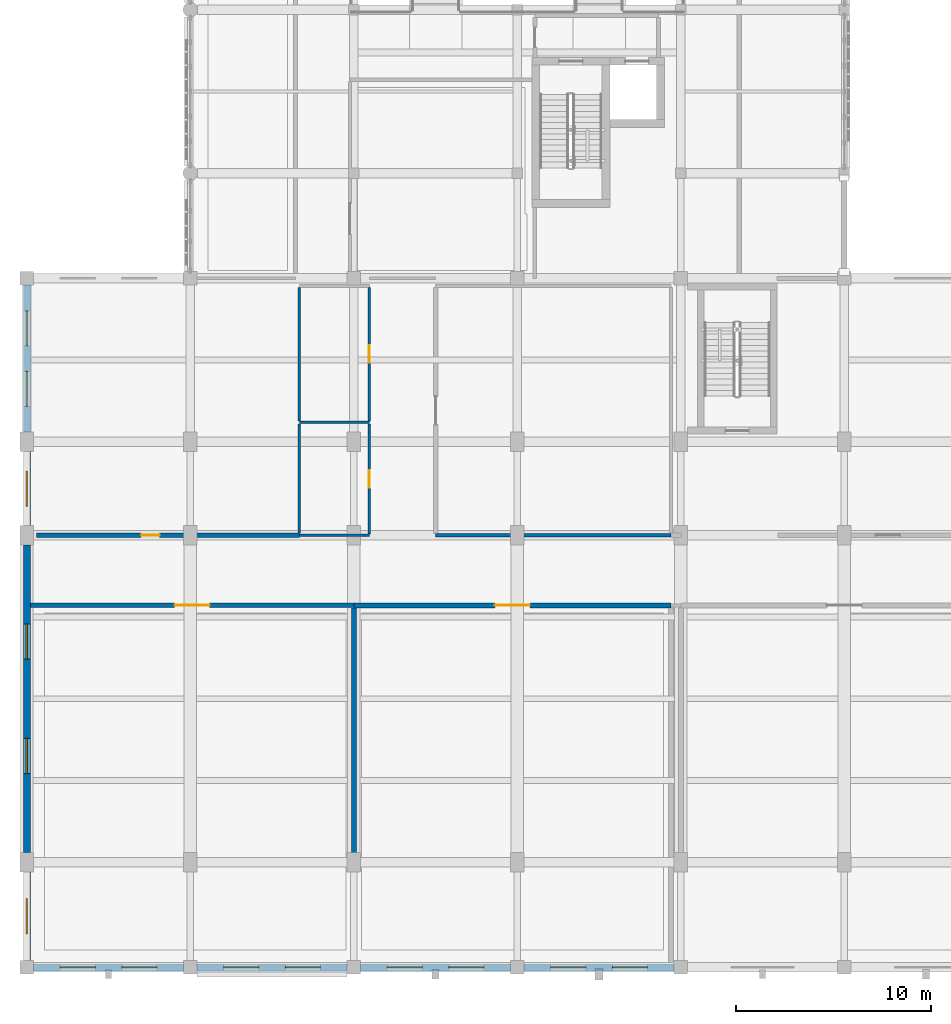
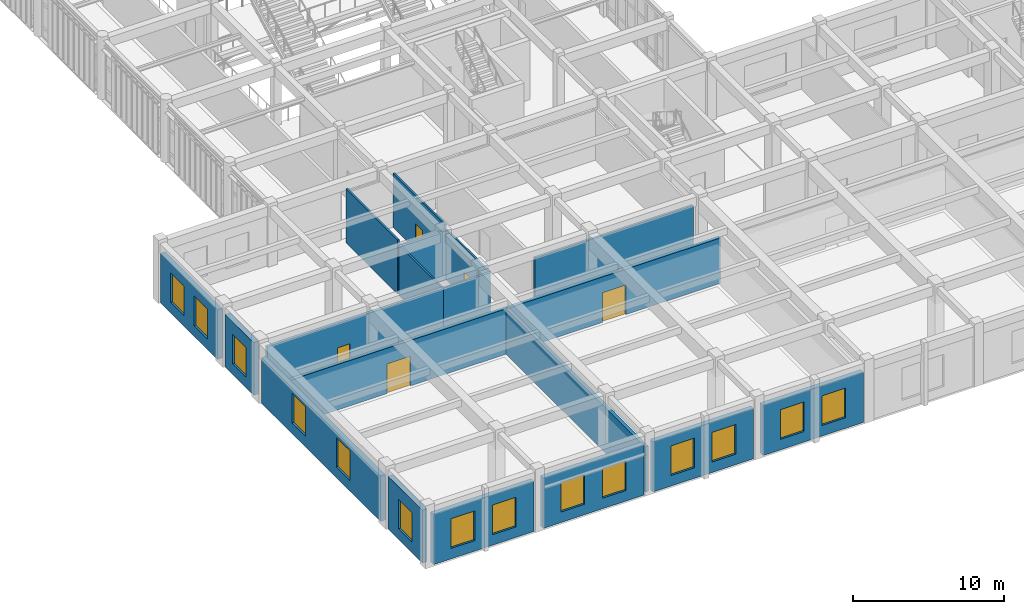
# One storey, part 84 of 106: 19 walls, 14 windows, 5 doors, 19 openings.
"""IFC4 building model written with IfcOpenShell, lengths in metres."""

from ifc_helpers import new_model, si_unit, direction, frame, frame_2d, origin, place, context, subcontext, project, spatial, rectangle, extrude, material, layer, layer_set, type_object, element, fill, save


model = new_model("IFC4")

# Units and contexts
model_context = context("Model", 3, precision=1e-05, world=origin(), true_north=direction((0.0, 1.0)))
body_context = subcontext(model_context, "Body", "Model", "MODEL_VIEW")
ifc_project = project(units=[si_unit("LENGTHUNIT", "METRE"), si_unit("AREAUNIT", "SQUARE_METRE"), si_unit("VOLUMEUNIT", "CUBIC_METRE"), si_unit("PLANEANGLEUNIT", "RADIAN"), si_unit("MASSUNIT", "GRAM", prefix="KILO")], contexts=[model_context])

# Site, building, storey
site_placement = place(None, origin())
site = spatial("IfcSite", under=ifc_project, at=site_placement, CompositionType="ELEMENT")
building_placement = place(site_placement, origin())
building = spatial("IfcBuilding", under=site, at=building_placement, Name="Krzemoval Escarpment Law Courts", CompositionType="ELEMENT")
storey_placement = place(building_placement, frame((0.0, 0.0, 5.10009765625)))
storey = spatial("IfcBuildingStorey", under=building, at=storey_placement, Name="L01", CompositionType="ELEMENT", Elevation=5.10009765625)

# Wall, openings, windows
ifc_material_1 = material(Name="Precast concrete C40/50", Category="concrete")
ifc_layer_1 = layer(ifc_material_1, 0.360107421875)
ifc_layer_set_1 = layer_set([ifc_layer_1], Name="Precast concrete C40/50")
wall_type_1 = type_object("IfcWallType", Name="WL-EXT-360", PredefinedType="SOLIDWALL", material=ifc_layer_set_1)
wall_1_placement = place(storey_placement, frame((33.25, 0.0, 0.0), z_axis=(0.0, 0.0, 1.0), x_axis=(-1.0, 0.0, 0.0)))
wall_1 = element("IfcWall", 1, at=wall_1_placement, inside=storey, type_object=wall_type_1, Name="Exterior Wall EW-L01-0236", PredefinedType="SOLIDWALL", context=body_context, shape_type="SweptSolid", body=[
    extrude(rectangle(XDim=7.699951171875, YDim=0.360107421875, at=frame_2d((3.85009765625, 0.0))), origin(), (0.0, 0.0, 1.0), 4.06982421875),
])
opening_1_placement = place(wall_1_placement, frame((1.366943359375, 0.0, 0.85009765625)))
opening_1 = element("IfcOpeningElement", 2, at=opening_1_placement, cuts=wall_1, Name="Opening WN-L01-0237", PredefinedType="OPENING", context=body_context, shape_type="SweptSolid", body=[
    extrude(rectangle(XDim=1.800048828125, YDim=2.39990234375, at=frame_2d((0.89990234375, 1.199951171875))), frame((0.0, 0.19505, 0.0), z_axis=(0.0, -1.0, 0.0), x_axis=(1.0, 0.0, 0.0)), (0.0, 0.0, 1.0), 0.39011),
])
opening_2_placement = place(wall_1_placement, frame((4.532958984375, 0.0, 0.85009765625)))
opening_2 = element("IfcOpeningElement", 3, at=opening_2_placement, cuts=wall_1, Name="Opening WN-L01-0238", PredefinedType="OPENING", context=body_context, shape_type="SweptSolid", body=[
    extrude(rectangle(XDim=1.800048828125, YDim=2.39990234375, at=frame_2d((0.89990234375, 1.199951171875))), frame((0.0, 0.19505, 0.0), z_axis=(0.0, -1.0, 0.0), x_axis=(1.0, 0.0, 0.0)), (0.0, 0.0, 1.0), 0.39011),
])
ifc_material_2 = material(Name="Thermally Broken Aluminium Frame with Triple Low-E Acoustic Glass", Category="aluminium")
window_type = type_object("IfcWindowType", Name="WN-1800x2400", PartitioningType="SINGLE_PANEL", PredefinedType="WINDOW", material=ifc_material_2)
window_1_placement = place(opening_1_placement, origin())
window_1 = element("IfcWindow", 4, at=window_1_placement, inside=storey, type_object=window_type, Name="Facade Window WN-L01-0237", OverallHeight=2.39990234375, OverallWidth=1.800048828125, PartitioningType="SINGLE_PANEL", PredefinedType="WINDOW", context=body_context, shape_type="SweptSolid", body=[
    extrude(rectangle(XDim=1.800048828125, YDim=2.39990234375, at=frame_2d((0.89990234375, 1.199951171875))), frame((0.0, 0.030029296875, 0.0), z_axis=(0.0, -1.0, 0.0), x_axis=(1.0, 0.0, 0.0)), (0.0, 0.0, 1.0), 0.06005859375),
])
fill(opening_1, window_1)
window_2_placement = place(opening_2_placement, origin())
window_2 = element("IfcWindow", 5, at=window_2_placement, inside=storey, type_object=window_type, Name="Facade Window WN-L01-0238", OverallHeight=2.39990234375, OverallWidth=1.800048828125, PartitioningType="SINGLE_PANEL", PredefinedType="WINDOW", context=body_context, shape_type="SweptSolid", body=[
    extrude(rectangle(XDim=1.800048828125, YDim=2.39990234375, at=frame_2d((0.89990234375, 1.199951171875))), frame((0.0, 0.030029296875, 0.0), z_axis=(0.0, -1.0, 0.0), x_axis=(1.0, 0.0, 0.0)), (0.0, 0.0, 1.0), 0.06005859375),
])
fill(opening_2, window_2)

wall_2_placement = place(storey_placement, frame((24.85009765625, 0.0, 0.0), z_axis=(0.0, 0.0, 1.0), x_axis=(-1.0, 0.0, 0.0)))
wall_2 = element("IfcWall", 6, at=wall_2_placement, inside=storey, type_object=wall_type_1, Name="Exterior Wall EW-L01-0237", PredefinedType="SOLIDWALL", context=body_context, shape_type="SweptSolid", body=[
    extrude(rectangle(XDim=7.7001953125, YDim=0.360107421875, at=frame_2d((3.85009765625, 0.0))), origin(), (0.0, 0.0, 1.0), 4.06982421875),
])
opening_3_placement = place(wall_2_placement, frame((1.366943359375, 0.0, 0.85009765625)))
opening_3 = element("IfcOpeningElement", 7, at=opening_3_placement, cuts=wall_2, Name="Opening WN-L01-0239", PredefinedType="OPENING", context=body_context, shape_type="SweptSolid", body=[
    extrude(rectangle(XDim=1.800048828125, YDim=2.39990234375, at=frame_2d((0.89990234375, 1.199951171875))), frame((0.0, 0.19505, 0.0), z_axis=(0.0, -1.0, 0.0), x_axis=(1.0, 0.0, 0.0)), (0.0, 0.0, 1.0), 0.39011),
])
opening_4_placement = place(wall_2_placement, frame((4.532958984375, 0.0, 0.85009765625)))
opening_4 = element("IfcOpeningElement", 8, at=opening_4_placement, cuts=wall_2, Name="Opening WN-L01-0240", PredefinedType="OPENING", context=body_context, shape_type="SweptSolid", body=[
    extrude(rectangle(XDim=1.800048828125, YDim=2.39990234375, at=frame_2d((0.89990234375, 1.199951171875))), frame((0.0, 0.19505, 0.0), z_axis=(0.0, -1.0, 0.0), x_axis=(1.0, 0.0, 0.0)), (0.0, 0.0, 1.0), 0.39011),
])
window_3_placement = place(opening_3_placement, origin())
window_3 = element("IfcWindow", 9, at=window_3_placement, inside=storey, type_object=window_type, Name="Facade Window WN-L01-0239", OverallHeight=2.39990234375, OverallWidth=1.800048828125, PartitioningType="SINGLE_PANEL", PredefinedType="WINDOW", context=body_context, shape_type="SweptSolid", body=[
    extrude(rectangle(XDim=1.800048828125, YDim=2.39990234375, at=frame_2d((0.89990234375, 1.199951171875))), frame((0.0, 0.030029296875, 0.0), z_axis=(0.0, -1.0, 0.0), x_axis=(1.0, 0.0, 0.0)), (0.0, 0.0, 1.0), 0.06005859375),
])
fill(opening_3, window_3)
window_4_placement = place(opening_4_placement, origin())
window_4 = element("IfcWindow", 10, at=window_4_placement, inside=storey, type_object=window_type, Name="Facade Window WN-L01-0240", OverallHeight=2.39990234375, OverallWidth=1.800048828125, PartitioningType="SINGLE_PANEL", PredefinedType="WINDOW", context=body_context, shape_type="SweptSolid", body=[
    extrude(rectangle(XDim=1.800048828125, YDim=2.39990234375, at=frame_2d((0.89990234375, 1.199951171875))), frame((0.0, 0.030029296875, 0.0), z_axis=(0.0, -1.0, 0.0), x_axis=(1.0, 0.0, 0.0)), (0.0, 0.0, 1.0), 0.06005859375),
])
fill(opening_4, window_4)

wall_3_placement = place(storey_placement, frame((16.449951171875, 0.0, 0.0), z_axis=(0.0, 0.0, 1.0), x_axis=(-1.0, 0.0, 0.0)))
wall_3 = element("IfcWall", 11, at=wall_3_placement, inside=storey, type_object=wall_type_1, Name="Exterior Wall EW-L01-0238", PredefinedType="SOLIDWALL", context=body_context, shape_type="SweptSolid", body=[
    extrude(rectangle(XDim=7.699951171875, YDim=0.360107421875, at=frame_2d((3.85009765625, 0.0))), origin(), (0.0, 0.0, 1.0), 4.06982421875),
])
opening_5_placement = place(wall_3_placement, frame((1.366943359375, 0.0, 0.85009765625)))
opening_5 = element("IfcOpeningElement", 12, at=opening_5_placement, cuts=wall_3, Name="Opening WN-L01-0241", PredefinedType="OPENING", context=body_context, shape_type="SweptSolid", body=[
    extrude(rectangle(XDim=1.800048828125, YDim=2.39990234375, at=frame_2d((0.89990234375, 1.199951171875))), frame((0.0, 0.19505, 0.0), z_axis=(0.0, -1.0, 0.0), x_axis=(1.0, 0.0, 0.0)), (0.0, 0.0, 1.0), 0.39011),
])
opening_6_placement = place(wall_3_placement, frame((4.532958984375, 0.0, 0.85009765625)))
opening_6 = element("IfcOpeningElement", 13, at=opening_6_placement, cuts=wall_3, Name="Opening WN-L01-0242", PredefinedType="OPENING", context=body_context, shape_type="SweptSolid", body=[
    extrude(rectangle(XDim=1.800048828125, YDim=2.39990234375, at=frame_2d((0.89990234375, 1.199951171875))), frame((0.0, 0.19505, 0.0), z_axis=(0.0, -1.0, 0.0), x_axis=(1.0, 0.0, 0.0)), (0.0, 0.0, 1.0), 0.39011),
])
window_5_placement = place(opening_5_placement, origin())
window_5 = element("IfcWindow", 14, at=window_5_placement, inside=storey, type_object=window_type, Name="Facade Window WN-L01-0241", OverallHeight=2.39990234375, OverallWidth=1.800048828125, PartitioningType="SINGLE_PANEL", PredefinedType="WINDOW", context=body_context, shape_type="SweptSolid", body=[
    extrude(rectangle(XDim=1.800048828125, YDim=2.39990234375, at=frame_2d((0.89990234375, 1.199951171875))), frame((0.0, 0.030029296875, 0.0), z_axis=(0.0, -1.0, 0.0), x_axis=(1.0, 0.0, 0.0)), (0.0, 0.0, 1.0), 0.06005859375),
])
fill(opening_5, window_5)
window_6_placement = place(opening_6_placement, origin())
window_6 = element("IfcWindow", 15, at=window_6_placement, inside=storey, type_object=window_type, Name="Facade Window WN-L01-0242", OverallHeight=2.39990234375, OverallWidth=1.800048828125, PartitioningType="SINGLE_PANEL", PredefinedType="WINDOW", context=body_context, shape_type="SweptSolid", body=[
    extrude(rectangle(XDim=1.800048828125, YDim=2.39990234375, at=frame_2d((0.89990234375, 1.199951171875))), frame((0.0, 0.030029296875, 0.0), z_axis=(0.0, -1.0, 0.0), x_axis=(1.0, 0.0, 0.0)), (0.0, 0.0, 1.0), 0.06005859375),
])
fill(opening_6, window_6)

wall_4_placement = place(storey_placement, frame((8.050048828125, 0.0, 0.0), z_axis=(0.0, 0.0, 1.0), x_axis=(-1.0, 0.0, 0.0)))
wall_4 = element("IfcWall", 16, at=wall_4_placement, inside=storey, type_object=wall_type_1, Name="Exterior Wall EW-L01-0239", PredefinedType="SOLIDWALL", context=body_context, shape_type="SweptSolid", body=[
    extrude(rectangle(XDim=7.699951171875, YDim=0.360107421875, at=frame_2d((3.85009765625, 0.0))), origin(), (0.0, 0.0, 1.0), 4.06982421875),
])
opening_7_placement = place(wall_4_placement, frame((1.366943359375, 0.0, 0.85009765625)))
opening_7 = element("IfcOpeningElement", 17, at=opening_7_placement, cuts=wall_4, Name="Opening WN-L01-0243", PredefinedType="OPENING", context=body_context, shape_type="SweptSolid", body=[
    extrude(rectangle(XDim=1.800048828125, YDim=2.39990234375, at=frame_2d((0.89990234375, 1.199951171875))), frame((0.0, 0.19505, 0.0), z_axis=(0.0, -1.0, 0.0), x_axis=(1.0, 0.0, 0.0)), (0.0, 0.0, 1.0), 0.39011),
])
opening_8_placement = place(wall_4_placement, frame((4.532958984375, 0.0, 0.85009765625)))
opening_8 = element("IfcOpeningElement", 18, at=opening_8_placement, cuts=wall_4, Name="Opening WN-L01-0244", PredefinedType="OPENING", context=body_context, shape_type="SweptSolid", body=[
    extrude(rectangle(XDim=1.800048828125, YDim=2.39990234375, at=frame_2d((0.89990234375, 1.199951171875))), frame((0.0, 0.19505, 0.0), z_axis=(0.0, -1.0, 0.0), x_axis=(1.0, 0.0, 0.0)), (0.0, 0.0, 1.0), 0.39011),
])
window_7_placement = place(opening_7_placement, origin())
window_7 = element("IfcWindow", 19, at=window_7_placement, inside=storey, type_object=window_type, Name="Facade Window WN-L01-0243", OverallHeight=2.39990234375, OverallWidth=1.800048828125, PartitioningType="SINGLE_PANEL", PredefinedType="WINDOW", context=body_context, shape_type="SweptSolid", body=[
    extrude(rectangle(XDim=1.800048828125, YDim=2.39990234375, at=frame_2d((0.89990234375, 1.199951171875))), frame((0.0, 0.030029296875, 0.0), z_axis=(0.0, -1.0, 0.0), x_axis=(1.0, 0.0, 0.0)), (0.0, 0.0, 1.0), 0.06005859375),
])
fill(opening_7, window_7)
window_8_placement = place(opening_8_placement, origin())
window_8 = element("IfcWindow", 20, at=window_8_placement, inside=storey, type_object=window_type, Name="Facade Window WN-L01-0244", OverallHeight=2.39990234375, OverallWidth=1.800048828125, PartitioningType="SINGLE_PANEL", PredefinedType="WINDOW", context=body_context, shape_type="SweptSolid", body=[
    extrude(rectangle(XDim=1.800048828125, YDim=2.39990234375, at=frame_2d((0.89990234375, 1.199951171875))), frame((0.0, 0.030029296875, 0.0), z_axis=(0.0, -1.0, 0.0), x_axis=(1.0, 0.0, 0.0)), (0.0, 0.0, 1.0), 0.06005859375),
])
fill(opening_8, window_8)

# Wall, opening, window
wall_5_placement = place(storey_placement, frame((0.0, 0.35009765625, 0.0), z_axis=(0.0, 0.0, 1.0), x_axis=(0.0, 1.0, 0.0)))
wall_5 = element("IfcWall", 21, at=wall_5_placement, inside=storey, type_object=wall_type_1, Name="Exterior Wall EW-L01-0240", PredefinedType="SOLIDWALL", context=body_context, shape_type="SweptSolid", body=[
    extrude(rectangle(XDim=4.5498046875, YDim=0.360107421875, at=frame_2d((2.27490234375, 0.0))), origin(), (0.0, 0.0, 1.0), 4.27001953125),
])
opening_9_placement = place(wall_5_placement, frame((1.375, 0.0, 0.85009765625)))
opening_9 = element("IfcOpeningElement", 22, at=opening_9_placement, cuts=wall_5, Name="Opening WN-L01-0245", PredefinedType="OPENING", context=body_context, shape_type="SweptSolid", body=[
    extrude(rectangle(XDim=1.800048828125, YDim=2.39990234375, at=frame_2d((0.89990234375, 1.199951171875))), frame((0.0, 0.19505, 0.0), z_axis=(0.0, -1.0, 0.0), x_axis=(1.0, 0.0, 0.0)), (0.0, 0.0, 1.0), 0.39011),
])
window_9_placement = place(opening_9_placement, origin())
window_9 = element("IfcWindow", 23, at=window_9_placement, inside=storey, type_object=window_type, Name="Facade Window WN-L01-0245", OverallHeight=2.39990234375, OverallWidth=1.800048828125, PartitioningType="SINGLE_PANEL", PredefinedType="WINDOW", context=body_context, shape_type="SweptSolid", body=[
    extrude(rectangle(XDim=1.800048828125, YDim=2.39990234375, at=frame_2d((0.89990234375, 1.199951171875))), frame((0.0, 0.030029296875, 0.0), z_axis=(0.0, -1.0, 0.0), x_axis=(1.0, 0.0, 0.0)), (0.0, 0.0, 1.0), 0.06005859375),
])
fill(opening_9, window_9)

# Wall, openings, windows
wall_6_placement = place(storey_placement, frame((0.0, 5.89990234375, 0.0), z_axis=(0.0, 0.0, 1.0), x_axis=(0.0, 1.0, 0.0)))
wall_6 = element("IfcWall", 24, at=wall_6_placement, inside=storey, type_object=wall_type_1, Name="Exterior Wall EW-L01-0241", PredefinedType="SOLIDWALL", context=body_context, shape_type="SweptSolid", body=[
    extrude(rectangle(XDim=15.800048828125, YDim=0.360107421875, at=frame_2d((7.89990234375, 0.0))), origin(), (0.0, 0.0, 1.0), 3.669921875),
])
opening_10_placement = place(wall_6_placement, frame((4.06689453125, 0.0, 0.85009765625)))
opening_10 = element("IfcOpeningElement", 25, at=opening_10_placement, cuts=wall_6, Name="Opening WN-L01-0246", PredefinedType="OPENING", context=body_context, shape_type="SweptSolid", body=[
    extrude(rectangle(XDim=1.800048828125, YDim=2.39990234375, at=frame_2d((0.89990234375, 1.199951171875))), frame((0.0, 0.19505, 0.0), z_axis=(0.0, -1.0, 0.0), x_axis=(1.0, 0.0, 0.0)), (0.0, 0.0, 1.0), 0.39011),
])
opening_11_placement = place(wall_6_placement, frame((9.93310546875, 0.0, 0.85009765625)))
opening_11 = element("IfcOpeningElement", 26, at=opening_11_placement, cuts=wall_6, Name="Opening WN-L01-0247", PredefinedType="OPENING", context=body_context, shape_type="SweptSolid", body=[
    extrude(rectangle(XDim=1.800048828125, YDim=2.39990234375, at=frame_2d((0.89990234375, 1.199951171875))), frame((0.0, 0.19505, 0.0), z_axis=(0.0, -1.0, 0.0), x_axis=(1.0, 0.0, 0.0)), (0.0, 0.0, 1.0), 0.39011),
])
window_10_placement = place(opening_10_placement, origin())
window_10 = element("IfcWindow", 27, at=window_10_placement, inside=storey, type_object=window_type, Name="Facade Window WN-L01-0246", OverallHeight=2.39990234375, OverallWidth=1.800048828125, PartitioningType="SINGLE_PANEL", PredefinedType="WINDOW", context=body_context, shape_type="SweptSolid", body=[
    extrude(rectangle(XDim=1.800048828125, YDim=2.39990234375, at=frame_2d((0.89990234375, 1.199951171875))), frame((0.0, 0.030029296875, 0.0), z_axis=(0.0, -1.0, 0.0), x_axis=(1.0, 0.0, 0.0)), (0.0, 0.0, 1.0), 0.06005859375),
])
fill(opening_10, window_10)
window_11_placement = place(opening_11_placement, origin())
window_11 = element("IfcWindow", 28, at=window_11_placement, inside=storey, type_object=window_type, Name="Facade Window WN-L01-0247", OverallHeight=2.39990234375, OverallWidth=1.800048828125, PartitioningType="SINGLE_PANEL", PredefinedType="WINDOW", context=body_context, shape_type="SweptSolid", body=[
    extrude(rectangle(XDim=1.800048828125, YDim=2.39990234375, at=frame_2d((0.89990234375, 1.199951171875))), frame((0.0, 0.030029296875, 0.0), z_axis=(0.0, -1.0, 0.0), x_axis=(1.0, 0.0, 0.0)), (0.0, 0.0, 1.0), 0.06005859375),
])
fill(opening_11, window_11)

# Wall, opening, window
wall_7_placement = place(storey_placement, frame((0.0, 22.699951171875, 0.0), z_axis=(0.0, 0.0, 1.0), x_axis=(0.0, 1.0, 0.0)))
wall_7 = element("IfcWall", 29, at=wall_7_placement, inside=storey, type_object=wall_type_1, Name="Exterior Wall EW-L01-0242", PredefinedType="SOLIDWALL", context=body_context, shape_type="SweptSolid", body=[
    extrude(rectangle(XDim=3.800048828125, YDim=0.360107421875, at=frame_2d((1.89990234375, 0.0))), origin(), (0.0, 0.0, 1.0), 4.27001953125),
])
opening_12_placement = place(wall_7_placement, frame((1.0, 0.0, 0.85009765625)))
opening_12 = element("IfcOpeningElement", 30, at=opening_12_placement, cuts=wall_7, Name="Opening WN-L01-0248", PredefinedType="OPENING", context=body_context, shape_type="SweptSolid", body=[
    extrude(rectangle(XDim=1.800048828125, YDim=2.39990234375, at=frame_2d((0.89990234375, 1.199951171875))), frame((0.0, 0.19505, 0.0), z_axis=(0.0, -1.0, 0.0), x_axis=(1.0, 0.0, 0.0)), (0.0, 0.0, 1.0), 0.39011),
])
window_12_placement = place(opening_12_placement, origin())
window_12 = element("IfcWindow", 31, at=window_12_placement, inside=storey, type_object=window_type, Name="Facade Window WN-L01-0248", OverallHeight=2.39990234375, OverallWidth=1.800048828125, PartitioningType="SINGLE_PANEL", PredefinedType="WINDOW", context=body_context, shape_type="SweptSolid", body=[
    extrude(rectangle(XDim=1.800048828125, YDim=2.39990234375, at=frame_2d((0.89990234375, 1.199951171875))), frame((0.0, 0.030029296875, 0.0), z_axis=(0.0, -1.0, 0.0), x_axis=(1.0, 0.0, 0.0)), (0.0, 0.0, 1.0), 0.06005859375),
])
fill(opening_12, window_12)

# Wall, openings, windows
wall_8_placement = place(storey_placement, frame((0.0, 27.5, 0.0), z_axis=(0.0, 0.0, 1.0), x_axis=(0.0, 1.0, 0.0)))
wall_8 = element("IfcWall", 32, at=wall_8_placement, inside=storey, type_object=wall_type_1, Name="Exterior Wall EW-L01-0243", PredefinedType="SOLIDWALL", context=body_context, shape_type="SweptSolid", body=[
    extrude(rectangle(XDim=7.550048828125, YDim=0.360107421875, at=frame_2d((3.77490234375, 0.0))), origin(), (0.0, 0.0, 1.0), 4.02001953125),
])
opening_13_placement = place(wall_8_placement, frame((1.31689453125, 0.0, 0.85009765625)))
opening_13 = element("IfcOpeningElement", 33, at=opening_13_placement, cuts=wall_8, Name="Opening WN-L01-0249", PredefinedType="OPENING", context=body_context, shape_type="SweptSolid", body=[
    extrude(rectangle(XDim=1.800048828125, YDim=2.39990234375, at=frame_2d((0.89990234375, 1.199951171875))), frame((0.0, 0.19505, 0.0), z_axis=(0.0, -1.0, 0.0), x_axis=(1.0, 0.0, 0.0)), (0.0, 0.0, 1.0), 0.39011),
])
opening_14_placement = place(wall_8_placement, frame((4.43310546875, 0.0, 0.85009765625)))
opening_14 = element("IfcOpeningElement", 34, at=opening_14_placement, cuts=wall_8, Name="Opening WN-L01-0250", PredefinedType="OPENING", context=body_context, shape_type="SweptSolid", body=[
    extrude(rectangle(XDim=1.800048828125, YDim=2.39990234375, at=frame_2d((0.89990234375, 1.199951171875))), frame((0.0, 0.19505, 0.0), z_axis=(0.0, -1.0, 0.0), x_axis=(1.0, 0.0, 0.0)), (0.0, 0.0, 1.0), 0.39011),
])
window_13_placement = place(opening_13_placement, origin())
window_13 = element("IfcWindow", 35, at=window_13_placement, inside=storey, type_object=window_type, Name="Facade Window WN-L01-0249", OverallHeight=2.39990234375, OverallWidth=1.800048828125, PartitioningType="SINGLE_PANEL", PredefinedType="WINDOW", context=body_context, shape_type="SweptSolid", body=[
    extrude(rectangle(XDim=1.800048828125, YDim=2.39990234375, at=frame_2d((0.89990234375, 1.199951171875))), frame((0.0, 0.030029296875, 0.0), z_axis=(0.0, -1.0, 0.0), x_axis=(1.0, 0.0, 0.0)), (0.0, 0.0, 1.0), 0.06005859375),
])
fill(opening_13, window_13)
window_14_placement = place(opening_14_placement, origin())
window_14 = element("IfcWindow", 36, at=window_14_placement, inside=storey, type_object=window_type, Name="Facade Window WN-L01-0250", OverallHeight=2.39990234375, OverallWidth=1.800048828125, PartitioningType="SINGLE_PANEL", PredefinedType="WINDOW", context=body_context, shape_type="SweptSolid", body=[
    extrude(rectangle(XDim=1.800048828125, YDim=2.39990234375, at=frame_2d((0.89990234375, 1.199951171875))), frame((0.0, 0.030029296875, 0.0), z_axis=(0.0, -1.0, 0.0), x_axis=(1.0, 0.0, 0.0)), (0.0, 0.0, 1.0), 0.06005859375),
])
fill(opening_14, window_14)

# Walls
ifc_material_3 = material(Name="Sanitary Moisture-Resistant Partition", Category="gypsum")
ifc_layer_2 = layer(ifc_material_3, 0.139892578125)
ifc_layer_set_2 = layer_set([ifc_layer_2], Name="Sanitary Moisture-Resistant Partition")
wall_type_2 = type_object("IfcWallType", Name="WL-PRT-140", PredefinedType="PARTITIONING", material=ifc_layer_set_2)
wall_9_placement = place(storey_placement, frame((14.0, 22.199951171875, 0.0), z_axis=(0.0, 0.0, 1.0), x_axis=(1.0, 0.0, 0.0)))
element("IfcWall", 37, at=wall_9_placement, inside=storey, type_object=wall_type_2, Name="Interior Partition PW-L01-0235", PredefinedType="PARTITIONING", context=body_context, shape_type="SweptSolid", body=[
    extrude(rectangle(XDim=3.60009765625, YDim=0.139892578125, at=frame_2d((1.800048828125, 0.0))), origin(), (0.0, 0.0, 1.0), 4.06982421875),
])
wall_10_placement = place(storey_placement, frame((14.0, 28.0, 0.0), z_axis=(0.0, 0.0, 1.0), x_axis=(1.0, 0.0, 0.0)))
element("IfcWall", 38, at=wall_10_placement, inside=storey, type_object=wall_type_2, Name="Interior Partition PW-L01-0248", PredefinedType="PARTITIONING", context=body_context, shape_type="SweptSolid", body=[
    extrude(rectangle(XDim=3.60009765625, YDim=0.139892578125, at=frame_2d((1.800048828125, 0.0))), origin(), (0.0, 0.0, 1.0), 4.02001953125),
])
wall_11_placement = place(storey_placement, frame((14.0, 22.31201171875, 0.0), z_axis=(0.0, 0.0, 1.0), x_axis=(0.0, 1.0, 0.0)))
element("IfcWall", 39, at=wall_11_placement, inside=storey, type_object=wall_type_2, Name="Interior Partition PW-L01-0297", PredefinedType="PARTITIONING", context=body_context, shape_type="SweptSolid", body=[
    extrude(rectangle(XDim=5.615966796875, YDim=0.139892578125, at=frame_2d((2.80810546875, 0.0))), origin(), (0.0, 0.0, 1.0), 4.06982421875),
])
wall_12_placement = place(storey_placement, frame((14.0, 28.072021484375, 0.0), z_axis=(0.0, 0.0, 1.0), x_axis=(0.0, 1.0, 0.0)))
element("IfcWall", 40, at=wall_12_placement, inside=storey, type_object=wall_type_2, Name="Interior Partition PW-L01-0298", PredefinedType="PARTITIONING", context=body_context, shape_type="SweptSolid", body=[
    extrude(rectangle(XDim=6.85595703125, YDim=0.139892578125, at=frame_2d((3.427978515625, 0.0))), origin(), (0.0, 0.0, 1.0), 4.369873046875),
])

# Wall, opening, door
wall_13_placement = place(storey_placement, frame((17.60009765625, 22.27197265625, 0.0), z_axis=(0.0, 0.0, 1.0), x_axis=(0.0, 1.0, 0.0)))
wall_13 = element("IfcWall", 41, at=wall_13_placement, inside=storey, type_object=wall_type_2, Name="Interior Partition PW-L01-0302", PredefinedType="PARTITIONING", context=body_context, shape_type="SweptSolid", body=[
    extrude(rectangle(XDim=5.656005859375, YDim=0.139892578125, at=frame_2d((2.828125, 0.0))), origin(), (0.0, 0.0, 1.0), 4.06982421875),
])
opening_15_placement = place(wall_13_placement, frame((2.3779296875, 0.0, 0.0)))
opening_15 = element("IfcOpeningElement", 42, at=opening_15_placement, cuts=wall_13, Name="Opening D-L01-0089", PredefinedType="OPENING", context=body_context, shape_type="SweptSolid", body=[
    extrude(rectangle(XDim=0.89990234375, YDim=2.10009765625, at=frame_2d((0.449951171875, 1.050048828125))), frame((0.0, 0.08495, 0.0), z_axis=(0.0, -1.0, 0.0), x_axis=(1.0, 0.0, 0.0)), (0.0, 0.0, 1.0), 0.16989),
])
ifc_material_4 = material(Name="Engineered Solid-Core Oak Acoustic Timber", Category="wood")
door_type_1 = type_object("IfcDoorType", Name="DR-INT-900x2100", OperationType="SINGLE_SWING_LEFT", PredefinedType="DOOR", material=ifc_material_4)
door_1_placement = place(opening_15_placement, origin())
door_1 = element("IfcDoor", 43, at=door_1_placement, inside=storey, type_object=door_type_1, Name="Room Door D-L01-0089", OperationType="SINGLE_SWING_LEFT", OverallHeight=2.10009765625, OverallWidth=0.89990234375, PredefinedType="DOOR", context=body_context, shape_type="SweptSolid", body=[
    extrude(rectangle(XDim=0.89990234375, YDim=2.10009765625, at=frame_2d((0.449951171875, 1.050048828125))), frame((0.0, 0.02490234375, 0.0), z_axis=(0.0, -1.0, 0.0), x_axis=(1.0, 0.0, 0.0)), (0.0, 0.0, 1.0), 0.050048828125),
])
fill(opening_15, door_1)

wall_14_placement = place(storey_placement, frame((17.60009765625, 28.072021484375, 0.0), z_axis=(0.0, 0.0, 1.0), x_axis=(0.0, 1.0, 0.0)))
wall_14 = element("IfcWall", 44, at=wall_14_placement, inside=storey, type_object=wall_type_2, Name="Interior Partition PW-L01-0303", PredefinedType="PARTITIONING", context=body_context, shape_type="SweptSolid", body=[
    extrude(rectangle(XDim=6.85595703125, YDim=0.139892578125, at=frame_2d((3.427978515625, 0.0))), origin(), (0.0, 0.0, 1.0), 4.369873046875),
])
opening_16_placement = place(wall_14_placement, frame((2.97802734375, 0.0, 0.0)))
opening_16 = element("IfcOpeningElement", 45, at=opening_16_placement, cuts=wall_14, Name="Opening D-L01-0090", PredefinedType="OPENING", context=body_context, shape_type="SweptSolid", body=[
    extrude(rectangle(XDim=0.89990234375, YDim=2.10009765625, at=frame_2d((0.449951171875, 1.050048828125))), frame((0.0, 0.08495, 0.0), z_axis=(0.0, -1.0, 0.0), x_axis=(1.0, 0.0, 0.0)), (0.0, 0.0, 1.0), 0.16989),
])
door_2_placement = place(opening_16_placement, origin())
door_2 = element("IfcDoor", 46, at=door_2_placement, inside=storey, type_object=door_type_1, Name="Room Door D-L01-0090", OperationType="SINGLE_SWING_RIGHT", OverallHeight=2.10009765625, OverallWidth=0.89990234375, PredefinedType="DOOR", context=body_context, shape_type="SweptSolid", body=[
    extrude(rectangle(XDim=0.89990234375, YDim=2.10009765625, at=frame_2d((0.449951171875, 1.050048828125))), frame((0.0, 0.02490234375, 0.0), z_axis=(0.0, -1.0, 0.0), x_axis=(1.0, 0.0, 0.0)), (0.0, 0.0, 1.0), 0.050048828125),
])
fill(opening_16, door_2)

# Wall
ifc_material_5 = material(Name="Judicial Chambers Acoustic Partition", Category="gypsum")
ifc_layer_3 = layer(ifc_material_5, 0.179931640625)
ifc_layer_set_3 = layer_set([ifc_layer_3], Name="Judicial Chambers Acoustic Partition")
wall_type_3 = type_object("IfcWallType", Name="WL-PRT-180", PredefinedType="PARTITIONING", material=ifc_layer_set_3)
wall_15_placement = place(storey_placement, frame((21.0, 22.199951171875, 0.0), z_axis=(0.0, 0.0, 1.0), x_axis=(1.0, 0.0, 0.0)))
element("IfcWall", 47, at=wall_15_placement, inside=storey, type_object=wall_type_3, Name="Interior Partition PW-L01-0236", PredefinedType="PARTITIONING", context=body_context, shape_type="SweptSolid", body=[
    extrude(rectangle(XDim=12.10009765625, YDim=0.179931640625, at=frame_2d((6.050048828125, 0.0))), origin(), (0.0, 0.0, 1.0), 4.06982421875),
])

# Wall, opening, door
ifc_material_6 = material(Name="Solid Calcium-Silicate Custody Blockwork Partition", Category="masonry")
ifc_layer_4 = layer(ifc_material_6, 0.219970703125)
ifc_layer_set_4 = layer_set([ifc_layer_4], Name="Solid Calcium-Silicate Custody Blockwork Partition")
wall_type_4 = type_object("IfcWallType", Name="WL-PRT-220", PredefinedType="PARTITIONING", material=ifc_layer_set_4)
wall_16_placement = place(storey_placement, frame((0.5, 22.199951171875, 0.0), z_axis=(0.0, 0.0, 1.0), x_axis=(1.0, 0.0, 0.0)))
wall_16 = element("IfcWall", 48, at=wall_16_placement, inside=storey, type_object=wall_type_4, Name="Interior Partition PW-L01-0234", PredefinedType="PARTITIONING", context=body_context, shape_type="SweptSolid", body=[
    extrude(rectangle(XDim=13.5, YDim=0.219970703125, at=frame_2d((6.75, 0.0))), origin(), (0.0, 0.0, 1.0), 4.06982421875),
])
opening_17_placement = place(wall_16_placement, frame((5.375, 0.0, 0.0)))
opening_17 = element("IfcOpeningElement", 49, at=opening_17_placement, cuts=wall_16, Name="Opening D-L01-0088", PredefinedType="OPENING", context=body_context, shape_type="SweptSolid", body=[
    extrude(rectangle(XDim=0.949951171875, YDim=2.10009765625, at=frame_2d((0.47509765625, 1.050048828125))), frame((0.0, 0.12499, 0.0), z_axis=(0.0, -1.0, 0.0), x_axis=(1.0, 0.0, 0.0)), (0.0, 0.0, 1.0), 0.24997),
])
ifc_material_7 = material(Name="Engineered Solid-Core Oak Acoustic Timber", Category="wood")
door_type_2 = type_object("IfcDoorType", Name="DR-INT-950x2100", OperationType="SINGLE_SWING_LEFT", PredefinedType="DOOR", material=ifc_material_7)
door_3_placement = place(opening_17_placement, origin())
door_3 = element("IfcDoor", 50, at=door_3_placement, inside=storey, type_object=door_type_2, Name="Room Door D-L01-0088", OperationType="SINGLE_SWING_RIGHT", OverallHeight=2.10009765625, OverallWidth=0.949951171875, PredefinedType="DOOR", context=body_context, shape_type="SweptSolid", body=[
    extrude(rectangle(XDim=0.949951171875, YDim=2.10009765625, at=frame_2d((0.47509765625, 1.050048828125))), frame((0.0, 0.02490234375, 0.0), z_axis=(0.0, -1.0, 0.0), x_axis=(1.0, 0.0, 0.0)), (0.0, 0.0, 1.0), 0.050048828125),
])
fill(opening_17, door_3)

ifc_material_8 = material(Name="Acoustic Courtroom Partition Assembly", Category="gypsum")
ifc_layer_5 = layer(ifc_material_8, 0.239990234375)
ifc_layer_set_5 = layer_set([ifc_layer_5], Name="Acoustic Courtroom Partition Assembly")
wall_type_5 = type_object("IfcWallType", Name="WL-PRT-240", PredefinedType="PARTITIONING", material=ifc_layer_set_5)
wall_17_placement = place(storey_placement, frame((0.181884765625, 18.60009765625, 0.0), z_axis=(0.0, 0.0, 1.0), x_axis=(1.0, 0.0, 0.0)))
wall_17 = element("IfcWall", 51, at=wall_17_placement, inside=storey, type_object=wall_type_5, Name="Interior Partition PW-L01-0224", PredefinedType="PARTITIONING", context=body_context, shape_type="SweptSolid", body=[
    extrude(rectangle(XDim=16.6181640625, YDim=0.239990234375, at=frame_2d((8.30908203125, 0.0))), origin(), (0.0, 0.0, 1.0), 3.669921875),
])
opening_18_placement = place(wall_17_placement, frame((7.408935546875, 0.0, 0.0)))
opening_18 = element("IfcOpeningElement", 52, at=opening_18_placement, cuts=wall_17, Name="Opening D-L01-0086", PredefinedType="OPENING", context=body_context, shape_type="SweptSolid", body=[
    extrude(rectangle(XDim=1.800048828125, YDim=2.39990234375, at=frame_2d((0.89990234375, 1.199951171875))), frame((0.0, 0.135, 0.0), z_axis=(0.0, -1.0, 0.0), x_axis=(1.0, 0.0, 0.0)), (0.0, 0.0, 1.0), 0.26999),
])
ifc_material_9 = material(Name="Engineered Solid-Core Oak Acoustic Timber", Category="wood")
door_type_3 = type_object("IfcDoorType", Name="DR-CRT-1800x2400", OperationType="SINGLE_SWING_LEFT", PredefinedType="DOOR", material=ifc_material_9)
door_4_placement = place(opening_18_placement, origin())
door_4 = element("IfcDoor", 53, at=door_4_placement, inside=storey, type_object=door_type_3, Name="Room Door D-L01-0086", OperationType="SINGLE_SWING_LEFT", OverallHeight=2.39990234375, OverallWidth=1.800048828125, PredefinedType="DOOR", context=body_context, shape_type="SweptSolid", body=[
    extrude(rectangle(XDim=1.800048828125, YDim=2.39990234375, at=frame_2d((0.89990234375, 1.199951171875))), frame((0.0, 0.02490234375, 0.0), z_axis=(0.0, -1.0, 0.0), x_axis=(1.0, 0.0, 0.0)), (0.0, 0.0, 1.0), 0.050048828125),
])
fill(opening_18, door_4)

ifc_material_10 = material(Name="Acoustic Double-Stud Gypsum and Mineral Wool Wall", Category="gypsum")
ifc_layer_6 = layer(ifc_material_10, 0.260009765625)
ifc_layer_set_6 = layer_set([ifc_layer_6], Name="Acoustic Double-Stud Gypsum and Mineral Wool Wall")
wall_type_6 = type_object("IfcWallType", Name="WL-PRT-260", PredefinedType="PARTITIONING", material=ifc_layer_set_6)
wall_18_placement = place(storey_placement, frame((16.800048828125, 18.60009765625, 0.0), z_axis=(0.0, 0.0, 1.0), x_axis=(1.0, 0.0, 0.0)))
wall_18 = element("IfcWall", 54, at=wall_18_placement, inside=storey, type_object=wall_type_6, Name="Interior Partition PW-L01-0225", PredefinedType="PARTITIONING", context=body_context, shape_type="SweptSolid", body=[
    extrude(rectangle(XDim=16.300048828125, YDim=0.260009765625, at=frame_2d((8.14990234375, 0.0))), origin(), (0.0, 0.0, 1.0), 3.669921875),
])
opening_19_placement = place(wall_18_placement, frame((7.25, 0.0, 0.0)))
opening_19 = element("IfcOpeningElement", 55, at=opening_19_placement, cuts=wall_18, Name="Opening D-L01-0087", PredefinedType="OPENING", context=body_context, shape_type="SweptSolid", body=[
    extrude(rectangle(XDim=1.800048828125, YDim=2.39990234375, at=frame_2d((0.89990234375, 1.199951171875))), frame((0.0, 0.145, 0.0), z_axis=(0.0, -1.0, 0.0), x_axis=(1.0, 0.0, 0.0)), (0.0, 0.0, 1.0), 0.29001),
])
door_5_placement = place(opening_19_placement, origin())
door_5 = element("IfcDoor", 56, at=door_5_placement, inside=storey, type_object=door_type_3, Name="Room Door D-L01-0087", OperationType="SINGLE_SWING_LEFT", OverallHeight=2.39990234375, OverallWidth=1.800048828125, PredefinedType="DOOR", context=body_context, shape_type="SweptSolid", body=[
    extrude(rectangle(XDim=1.800048828125, YDim=2.39990234375, at=frame_2d((0.89990234375, 1.199951171875))), frame((0.0, 0.02490234375, 0.0), z_axis=(0.0, -1.0, 0.0), x_axis=(1.0, 0.0, 0.0)), (0.0, 0.0, 1.0), 0.050048828125),
])
fill(opening_19, door_5)

# Wall
wall_19_placement = place(storey_placement, frame((16.800048828125, 0.06494140625, 0.0), z_axis=(0.0, 0.0, 1.0), x_axis=(0.0, 1.0, 0.0)))
element("IfcWall", 57, at=wall_19_placement, inside=storey, type_object=wall_type_6, Name="Interior Partition PW-L01-0301", PredefinedType="PARTITIONING", context=body_context, shape_type="SweptSolid", body=[
    extrude(rectangle(XDim=18.403076171875, YDim=0.260009765625, at=frame_2d((9.20166015625, 0.0))), origin(), (0.0, 0.0, 1.0), 3.669921875),
])

save(model, "model.ifc")
